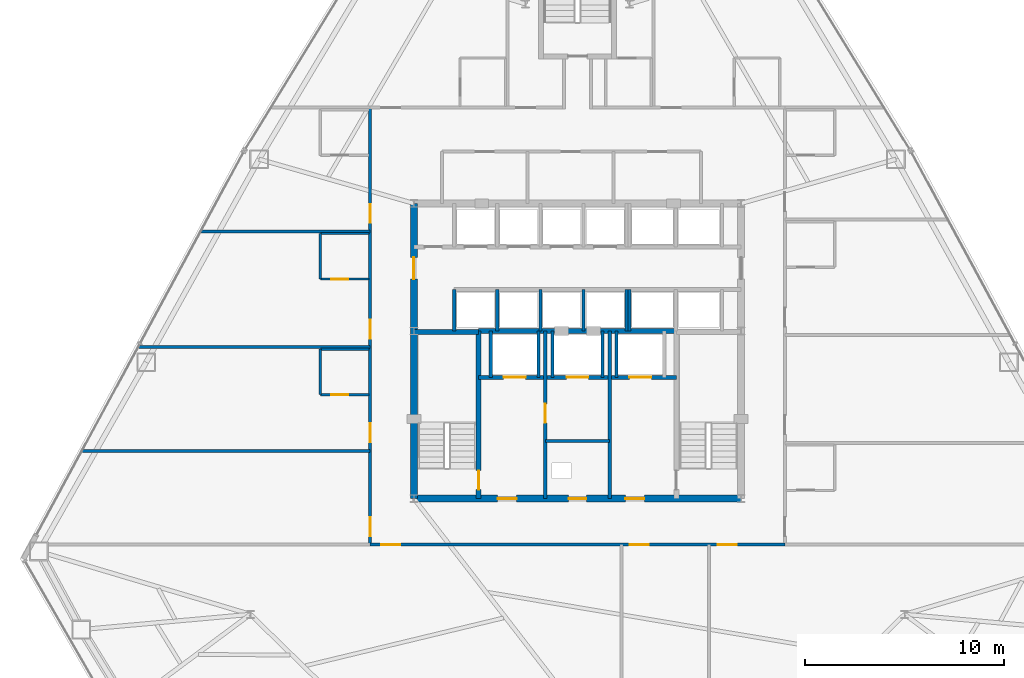
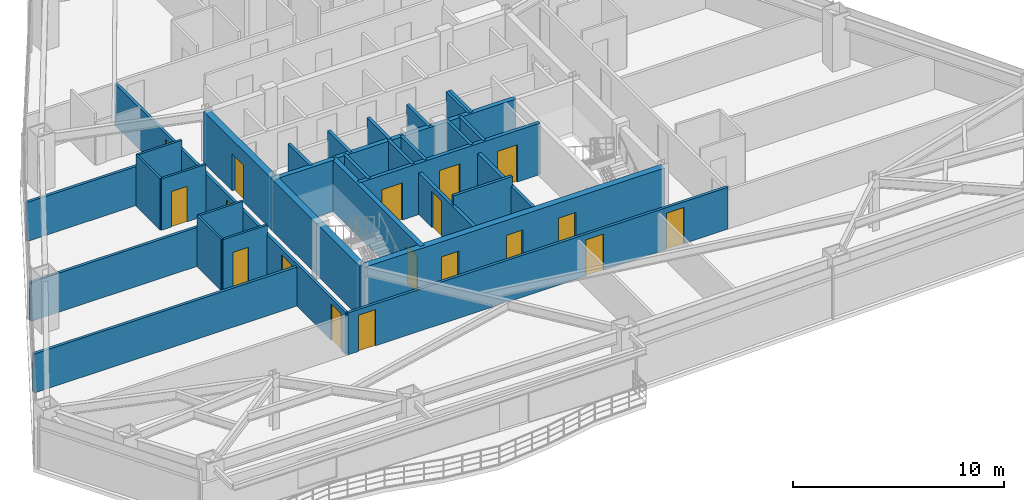
# One storey, part 9 of 13: 31 walls, 18 doors, 18 openings.
"""IFC4 building model written with IfcOpenShell, lengths in metres."""

from ifc_helpers import new_model, si_unit, direction, frame, frame_2d, origin, place, context, subcontext, project, spatial, rectangle, extrude, material, layer, layer_set, type_object, element, fill, save


model = new_model("IFC4")

# Units and contexts
model_context = context("Model", 3, precision=1e-05, world=origin(), true_north=direction((0.0, 1.0)))
body_context = subcontext(model_context, "Body", "Model", "MODEL_VIEW")
ifc_project = project(units=[si_unit("LENGTHUNIT", "METRE"), si_unit("AREAUNIT", "SQUARE_METRE"), si_unit("VOLUMEUNIT", "CUBIC_METRE"), si_unit("PLANEANGLEUNIT", "RADIAN"), si_unit("MASSUNIT", "GRAM", prefix="KILO")], contexts=[model_context])

# Site, building, storey
site_placement = place(None, origin())
site = spatial("IfcSite", under=ifc_project, at=site_placement, CompositionType="ELEMENT")
building_placement = place(site_placement, origin())
building = spatial("IfcBuilding", under=site, at=building_placement, Name="Varakhsha Concourse Tower", CompositionType="ELEMENT")
storey_placement = place(building_placement, frame((0.0, 0.0, 102.199951171875)))
storey = spatial("IfcBuildingStorey", under=building, at=storey_placement, Name="L29", CompositionType="ELEMENT", Elevation=102.199951171875)

# Wall, openings, doors
ifc_material_1 = material(Name="Concrete fc 65 MPa", Category="concrete")
ifc_layer_1 = layer(ifc_material_1, 0.35009765625, Name="WL-CORE-350")
ifc_layer_set_1 = layer_set([ifc_layer_1], Name="Concrete fc 65 MPa")
wall_type_1 = type_object("IfcWallType", Name="WL-CORE-350", PredefinedType="SHEAR", material=ifc_layer_set_1)
wall_1_placement = place(storey_placement, frame((31.800048828125, 16.39990234375, 0.0), z_axis=(0.0, 0.0, 1.0), x_axis=(1.0, 0.0, 0.0)))
wall_1 = element("IfcWall", 1, at=wall_1_placement, inside=storey, type_object=wall_type_1, Name="L29 Wall CWALL-S-L29", PredefinedType="SHEAR", context=body_context, shape_type="SweptSolid", body=[
    extrude(rectangle(XDim=16.39990234375, YDim=0.35009765625, at=frame_2d((8.199951171875, 0.0))), origin(), (0.0, 0.0, 1.0), 2.969970703125),
])
opening_1_placement = place(wall_1_placement, frame((7.75, 0.0, 0.0)))
opening_1 = element("IfcOpeningElement", 2, at=opening_1_placement, cuts=wall_1, Name="Opening DF-06", PredefinedType="OPENING", context=body_context, shape_type="SweptSolid", body=[
    extrude(rectangle(XDim=0.89990234375, YDim=2.10009765625, at=frame_2d((0.449951171875, 1.050048828125))), frame((0.0, 0.18505859375, 0.0), z_axis=(0.0, -1.0, 0.0), x_axis=(1.0, 0.0, 0.0)), (0.0, 0.0, 1.0), 0.3701171875),
])
opening_2_placement = place(wall_1_placement, frame((4.199951171875, 0.0, 0.0)))
opening_2 = element("IfcOpeningElement", 3, at=opening_2_placement, cuts=wall_1, Name="Opening DF-05", PredefinedType="OPENING", context=body_context, shape_type="SweptSolid", body=[
    extrude(rectangle(XDim=0.949951171875, YDim=2.10009765625, at=frame_2d((0.47509765625, 1.050048828125))), frame((0.0, 0.18505859375, 0.0), z_axis=(0.0, -1.0, 0.0), x_axis=(1.0, 0.0, 0.0)), (0.0, 0.0, 1.0), 0.3701171875),
])
opening_3_placement = place(wall_1_placement, frame((10.60009765625, 0.0, 0.0)))
opening_3 = element("IfcOpeningElement", 4, at=opening_3_placement, cuts=wall_1, Name="Opening DF-05", PredefinedType="OPENING", context=body_context, shape_type="SweptSolid", body=[
    extrude(rectangle(XDim=0.949951171875, YDim=2.10009765625, at=frame_2d((0.47509765625, 1.050048828125))), frame((0.0, 0.18505859375, 0.0), z_axis=(0.0, -1.0, 0.0), x_axis=(1.0, 0.0, 0.0)), (0.0, 0.0, 1.0), 0.3701171875),
])
ifc_material_2 = material(Name="Hollow Galvanised Steel Fire Door Assembly", Category="steel")
door_type_1 = type_object("IfcDoorType", Name="DR-FD60-900", OperationType="NOTDEFINED", PredefinedType="DOOR", material=ifc_material_2)
door_1_placement = place(opening_1_placement, origin())
door_1 = element("IfcDoor", 5, at=door_1_placement, inside=storey, type_object=door_type_1, Name="L29 Electrical Riser Access Door", OperationType="SINGLE_SWING_LEFT", OverallHeight=2.10009765625, OverallWidth=0.89990234375, PredefinedType="DOOR", context=body_context, shape_type="SweptSolid", body=[
    extrude(rectangle(XDim=0.89990234375, YDim=2.10009765625, at=frame_2d((0.449951171875, 1.050048828125))), frame((0.0, 0.02490234375, 0.0), z_axis=(0.0, -1.0, 0.0), x_axis=(1.0, 0.0, 0.0)), (0.0, 0.0, 1.0), 0.050048828125),
])
fill(opening_1, door_1)
door_type_2 = type_object("IfcDoorType", Name="DR-FD60-950", OperationType="NOTDEFINED", PredefinedType="DOOR", material=ifc_material_2)
door_2_placement = place(opening_2_placement, origin())
door_2 = element("IfcDoor", 6, at=door_2_placement, inside=storey, type_object=door_type_2, Name="L29 Firefighting Lobby West Door", OperationType="SINGLE_SWING_RIGHT", OverallHeight=2.10009765625, OverallWidth=0.949951171875, PredefinedType="DOOR", context=body_context, shape_type="SweptSolid", body=[
    extrude(rectangle(XDim=0.949951171875, YDim=2.10009765625, at=frame_2d((0.47509765625, 1.050048828125))), frame((0.0, 0.02490234375, 0.0), z_axis=(0.0, -1.0, 0.0), x_axis=(1.0, 0.0, 0.0)), (0.0, 0.0, 1.0), 0.050048828125),
])
fill(opening_2, door_2)
door_3_placement = place(opening_3_placement, origin())
door_3 = element("IfcDoor", 7, at=door_3_placement, inside=storey, type_object=door_type_2, Name="L29 Firefighting Lobby East Door", OperationType="SINGLE_SWING_LEFT", OverallHeight=2.10009765625, OverallWidth=0.949951171875, PredefinedType="DOOR", context=body_context, shape_type="SweptSolid", body=[
    extrude(rectangle(XDim=0.949951171875, YDim=2.10009765625, at=frame_2d((0.47509765625, 1.050048828125))), frame((0.0, 0.02490234375, 0.0), z_axis=(0.0, -1.0, 0.0), x_axis=(1.0, 0.0, 0.0)), (0.0, 0.0, 1.0), 0.050048828125),
])
fill(opening_3, door_3)

# Wall, opening, door
wall_2_placement = place(storey_placement, frame((31.800048828125, 16.39990234375, 0.0), z_axis=(0.0, 0.0, 1.0), x_axis=(0.0, 1.0, 0.0)))
wall_2 = element("IfcWall", 8, at=wall_2_placement, inside=storey, type_object=wall_type_1, Name="L29 Wall CWALL-W-L29", PredefinedType="SHEAR", context=body_context, shape_type="SweptSolid", body=[
    extrude(rectangle(XDim=14.800048828125, YDim=0.35009765625, at=frame_2d((7.39990234375, 0.0))), origin(), (0.0, 0.0, 1.0), 2.969970703125),
])
opening_4_placement = place(wall_2_placement, frame((11.0, 0.0, 0.0)))
opening_4 = element("IfcOpeningElement", 9, at=opening_4_placement, cuts=wall_2, Name="Opening DL-01", PredefinedType="OPENING", context=body_context, shape_type="SweptSolid", body=[
    extrude(rectangle(XDim=1.10009765625, YDim=2.14990234375, at=frame_2d((0.550048828125, 1.074951171875))), frame((0.0, 0.18505859375, 0.0), z_axis=(0.0, -1.0, 0.0), x_axis=(1.0, 0.0, 0.0)), (0.0, 0.0, 1.0), 0.3701171875),
])
ifc_material_3 = material(Name="Anodised Bronze Architectural Aluminium AA 6063-T6", Category="aluminium")
door_type_3 = type_object("IfcDoorType", Name="DR-LOB-1100", OperationType="NOTDEFINED", PredefinedType="DOOR", material=ifc_material_3)
door_4_placement = place(opening_4_placement, origin())
door_4 = element("IfcDoor", 10, at=door_4_placement, inside=storey, type_object=door_type_3, Name="L29 Lift Lobby West Concourse Door", OperationType="SINGLE_SWING_LEFT", OverallHeight=2.14990234375, OverallWidth=1.10009765625, PredefinedType="DOOR", context=body_context, shape_type="SweptSolid", body=[
    extrude(rectangle(XDim=1.10009765625, YDim=2.14990234375, at=frame_2d((0.550048828125, 1.074951171875))), frame((0.0, 0.02490234375, 0.0), z_axis=(0.0, -1.0, 0.0), x_axis=(1.0, 0.0, 0.0)), (0.0, 0.0, 1.0), 0.050048828125),
])
fill(opening_4, door_4)

ifc_material_4 = material(Name="Fire-Rated Type X Gypsum Partition Assembly", Category="gypsum")
ifc_layer_2 = layer(ifc_material_4, 0.179931640625, Name="WL-FFLOB-180")
ifc_layer_set_2 = layer_set([ifc_layer_2], Name="Fire-Rated Type X Gypsum Partition Assembly")
wall_type_2 = type_object("IfcWallType", Name="WL-FFLOB-180", PredefinedType="PARTITIONING", material=ifc_layer_set_2)
wall_3_placement = place(storey_placement, frame((38.389892578125, 16.39990234375, 0.0), z_axis=(0.0, 0.0, 1.0), x_axis=(0.0, 1.0, 0.0)))
wall_3 = element("IfcWall", 11, at=wall_3_placement, inside=storey, type_object=wall_type_2, Name="L29 Wall FFW-1E-L29", PredefinedType="PARTITIONING", context=body_context, shape_type="SweptSolid", body=[
    extrude(rectangle(XDim=8.400146484375, YDim=0.179931640625, at=frame_2d((4.2001953125, 0.0))), origin(), (0.0, 0.0, 1.0), 2.421142578125),
])
opening_5_placement = place(wall_3_placement, frame((3.800048828125, 0.0, 0.0)))
opening_5 = element("IfcOpeningElement", 12, at=opening_5_placement, cuts=wall_3, Name="Opening DF-05", PredefinedType="OPENING", context=body_context, shape_type="SweptSolid", body=[
    extrude(rectangle(XDim=0.949951171875, YDim=2.10009765625, at=frame_2d((0.47509765625, 1.050048828125))), frame((0.0, 0.099853515625, 0.0), z_axis=(0.0, -1.0, 0.0), x_axis=(1.0, 0.0, 0.0)), (0.0, 0.0, 1.0), 0.199951171875),
])
door_5_placement = place(opening_5_placement, origin())
door_5 = element("IfcDoor", 13, at=door_5_placement, inside=storey, type_object=door_type_2, Name="L29 Service Vestibule Door", OperationType="SINGLE_SWING_RIGHT", OverallHeight=2.10009765625, OverallWidth=0.949951171875, PredefinedType="DOOR", context=body_context, shape_type="SweptSolid", body=[
    extrude(rectangle(XDim=0.949951171875, YDim=2.10009765625, at=frame_2d((0.47509765625, 1.050048828125))), frame((0.0, 0.02490234375, 0.0), z_axis=(0.0, -1.0, 0.0), x_axis=(1.0, 0.0, 0.0)), (0.0, 0.0, 1.0), 0.050048828125),
])
fill(opening_5, door_5)

# Walls
wall_4_placement = place(storey_placement, frame((41.610107421875, 16.39990234375, 0.0), z_axis=(0.0, 0.0, 1.0), x_axis=(0.0, 1.0, 0.0)))
element("IfcWall", 14, at=wall_4_placement, inside=storey, type_object=wall_type_2, Name="L29 Wall FFW-2W-L29", PredefinedType="PARTITIONING", context=body_context, shape_type="SweptSolid", body=[
    extrude(rectangle(XDim=8.400146484375, YDim=0.179931640625, at=frame_2d((4.2001953125, 0.0))), origin(), (0.0, 0.0, 1.0), 2.421142578125),
])
ifc_material_5 = material(Name="Acoustic Gypsum Board Partition Assembly", Category="gypsum")
ifc_layer_3 = layer(ifc_material_5, 0.1201171875, Name="WL-PART-120")
ifc_layer_set_3 = layer_set([ifc_layer_3], Name="Acoustic Gypsum Board Partition Assembly")
wall_type_3 = type_object("IfcWallType", Name="WL-PART-120", PredefinedType="PARTITIONING", material=ifc_layer_set_3)
wall_5_placement = place(storey_placement, frame((27.110107421875, 21.610107421875, 0.0), z_axis=(0.0, 0.0, 1.0), x_axis=(0.0, 1.0, 0.0)))
element("IfcWall", 15, at=wall_5_placement, inside=storey, type_object=wall_type_3, Name="L29 Wall ENSW-W-L29-H05", PredefinedType="PARTITIONING", context=body_context, shape_type="SweptSolid", body=[
    extrude(rectangle(XDim=2.27978515625, YDim=0.1201171875, at=frame_2d((1.139892578125, 0.0))), origin(), (0.0, 0.0, 1.0), 2.969970703125),
])

# Wall, opening, door
wall_6_placement = place(storey_placement, frame((27.110107421875, 21.610107421875, 0.0), z_axis=(0.0, 0.0, 1.0), x_axis=(1.0, 0.0, 0.0)))
wall_6 = element("IfcWall", 16, at=wall_6_placement, inside=storey, type_object=wall_type_3, Name="L29 Wall ENSW-S-L29-H05", PredefinedType="PARTITIONING", context=body_context, shape_type="SweptSolid", body=[
    extrude(rectangle(XDim=2.429931640625, YDim=0.1201171875, at=frame_2d((1.21484375, 0.0))), origin(), (0.0, 0.0, 1.0), 2.969970703125),
])
opening_6_placement = place(wall_6_placement, frame((0.550048828125, 0.0, 0.0)))
opening_6 = element("IfcOpeningElement", 17, at=opening_6_placement, cuts=wall_6, Name="Opening DI-01", PredefinedType="OPENING", context=body_context, shape_type="SweptSolid", body=[
    extrude(rectangle(XDim=0.85009765625, YDim=2.050048828125, at=frame_2d((0.425048828125, 1.02490234375))), frame((0.0, 0.070068359375, 0.0), z_axis=(0.0, -1.0, 0.0), x_axis=(1.0, 0.0, 0.0)), (0.0, 0.0, 1.0), 0.14013671875),
])
ifc_material_6 = material(Name="Architectural Walnut Acoustic Timber Door", Category="wood")
door_type_4 = type_object("IfcDoorType", Name="DR-INT-850", OperationType="NOTDEFINED", PredefinedType="DOOR", material=ifc_material_6)
door_6_placement = place(opening_6_placement, origin())
door_6 = element("IfcDoor", 18, at=door_6_placement, inside=storey, type_object=door_type_4, Name="L29 En-suite Bathroom Door L29-H05", OperationType="SINGLE_SWING_RIGHT", OverallHeight=2.050048828125, OverallWidth=0.85009765625, PredefinedType="DOOR", context=body_context, shape_type="SweptSolid", body=[
    extrude(rectangle(XDim=0.85009765625, YDim=2.050048828125, at=frame_2d((0.425048828125, 1.02490234375))), frame((0.0, 0.02490234375, 0.0), z_axis=(0.0, -1.0, 0.0), x_axis=(1.0, 0.0, 0.0)), (0.0, 0.0, 1.0), 0.050048828125),
])
fill(opening_6, door_6)

# Walls
wall_7_placement = place(storey_placement, frame((27.110107421875, 23.889892578125, 0.0), z_axis=(0.0, 0.0, 1.0), x_axis=(1.0, 0.0, 0.0)))
element("IfcWall", 19, at=wall_7_placement, inside=storey, type_object=wall_type_3, Name="L29 Wall ENSW-N-L29-H05", PredefinedType="PARTITIONING", context=body_context, shape_type="SweptSolid", body=[
    extrude(rectangle(XDim=2.429931640625, YDim=0.1201171875, at=frame_2d((1.21484375, 0.0))), origin(), (0.0, 0.0, 1.0), 2.969970703125),
])
wall_8_placement = place(storey_placement, frame((27.110107421875, 27.409912109375, 0.0), z_axis=(0.0, 0.0, 1.0), x_axis=(0.0, 1.0, 0.0)))
element("IfcWall", 20, at=wall_8_placement, inside=storey, type_object=wall_type_3, Name="L29 Wall ENSW-W-L29-H06", PredefinedType="PARTITIONING", context=body_context, shape_type="SweptSolid", body=[
    extrude(rectangle(XDim=2.280029296875, YDim=0.1201171875, at=frame_2d((1.14013671875, 0.0))), origin(), (0.0, 0.0, 1.0), 2.969970703125),
])

# Wall, opening, door
wall_9_placement = place(storey_placement, frame((27.110107421875, 27.409912109375, 0.0), z_axis=(0.0, 0.0, 1.0), x_axis=(1.0, 0.0, 0.0)))
wall_9 = element("IfcWall", 21, at=wall_9_placement, inside=storey, type_object=wall_type_3, Name="L29 Wall ENSW-S-L29-H06", PredefinedType="PARTITIONING", context=body_context, shape_type="SweptSolid", body=[
    extrude(rectangle(XDim=2.429931640625, YDim=0.1201171875, at=frame_2d((1.21484375, 0.0))), origin(), (0.0, 0.0, 1.0), 2.969970703125),
])
opening_7_placement = place(wall_9_placement, frame((0.550048828125, 0.0, 0.0)))
opening_7 = element("IfcOpeningElement", 22, at=opening_7_placement, cuts=wall_9, Name="Opening DI-01", PredefinedType="OPENING", context=body_context, shape_type="SweptSolid", body=[
    extrude(rectangle(XDim=0.85009765625, YDim=2.050048828125, at=frame_2d((0.425048828125, 1.02490234375))), frame((0.0, 0.070068359375, 0.0), z_axis=(0.0, -1.0, 0.0), x_axis=(1.0, 0.0, 0.0)), (0.0, 0.0, 1.0), 0.14013671875),
])
door_7_placement = place(opening_7_placement, origin())
door_7 = element("IfcDoor", 23, at=door_7_placement, inside=storey, type_object=door_type_4, Name="L29 En-suite Bathroom Door L29-H06", OperationType="SINGLE_SWING_RIGHT", OverallHeight=2.050048828125, OverallWidth=0.85009765625, PredefinedType="DOOR", context=body_context, shape_type="SweptSolid", body=[
    extrude(rectangle(XDim=0.85009765625, YDim=2.050048828125, at=frame_2d((0.425048828125, 1.02490234375))), frame((0.0, 0.02490234375, 0.0), z_axis=(0.0, -1.0, 0.0), x_axis=(1.0, 0.0, 0.0)), (0.0, 0.0, 1.0), 0.050048828125),
])
fill(opening_7, door_7)

# Walls
wall_10_placement = place(storey_placement, frame((27.110107421875, 29.68994140625, 0.0), z_axis=(0.0, 0.0, 1.0), x_axis=(1.0, 0.0, 0.0)))
element("IfcWall", 24, at=wall_10_placement, inside=storey, type_object=wall_type_3, Name="L29 Wall ENSW-N-L29-H06", PredefinedType="PARTITIONING", context=body_context, shape_type="SweptSolid", body=[
    extrude(rectangle(XDim=2.429931640625, YDim=0.1201171875, at=frame_2d((1.21484375, 0.0))), origin(), (0.0, 0.0, 1.0), 2.969970703125),
])
ifc_layer_4 = layer(ifc_material_4, 0.14990234375, Name="WL-PART-150")
ifc_layer_set_4 = layer_set([ifc_layer_4], Name="Fire-Rated Type X Gypsum Partition Assembly")
wall_type_4 = type_object("IfcWallType", Name="WL-PART-150", PredefinedType="PARTITIONING", material=ifc_layer_set_4)
wall_11_placement = place(storey_placement, frame((38.389892578125, 19.300048828125, 0.0), z_axis=(0.0, 0.0, 1.0), x_axis=(1.0, 0.0, 0.0)))
element("IfcWall", 25, at=wall_11_placement, inside=storey, type_object=wall_type_4, Name="L29 Wall RSW-H-L29", PredefinedType="PARTITIONING", context=body_context, shape_type="SweptSolid", body=[
    extrude(rectangle(XDim=3.22021484375, YDim=0.14990234375, at=frame_2d((1.610107421875, 0.0))), origin(), (0.0, 0.0, 1.0), 2.969970703125),
])

# Wall, openings, doors
wall_12_placement = place(storey_placement, frame((29.60009765625, 14.10009765625, 0.0), z_axis=(0.0, 0.0, 1.0), x_axis=(1.0, 0.0, 0.0)))
wall_12 = element("IfcWall", 26, at=wall_12_placement, inside=storey, type_object=wall_type_4, Name="L29 Wall CRW-S-L29", PredefinedType="PARTITIONING", context=body_context, shape_type="SweptSolid", body=[
    extrude(rectangle(XDim=20.7998046875, YDim=0.14990234375, at=frame_2d((10.39990234375, 0.0))), origin(), (0.0, 0.0, 1.0), 2.421142578125),
])
opening_8_placement = place(wall_12_placement, frame((0.570068359375, 0.0, 0.0)))
opening_8 = element("IfcOpeningElement", 27, at=opening_8_placement, cuts=wall_12, Name="Opening DF-05", PredefinedType="OPENING", context=body_context, shape_type="SweptSolid", body=[
    extrude(rectangle(XDim=0.949951171875, YDim=2.10009765625, at=frame_2d((0.47509765625, 1.050048828125))), frame((0.0, 0.0849609375, 0.0), z_axis=(0.0, -1.0, 0.0), x_axis=(1.0, 0.0, 0.0)), (0.0, 0.0, 1.0), 0.169921875),
])
opening_9_placement = place(wall_12_placement, frame((13.02001953125, 0.0, 0.0)))
opening_9 = element("IfcOpeningElement", 28, at=opening_9_placement, cuts=wall_12, Name="Opening DF-05", PredefinedType="OPENING", context=body_context, shape_type="SweptSolid", body=[
    extrude(rectangle(XDim=0.949951171875, YDim=2.10009765625, at=frame_2d((0.47509765625, 1.050048828125))), frame((0.0, 0.0849609375, 0.0), z_axis=(0.0, -1.0, 0.0), x_axis=(1.0, 0.0, 0.0)), (0.0, 0.0, 1.0), 0.169921875),
])
opening_10_placement = place(wall_12_placement, frame((17.419921875, 0.0, 0.0)))
opening_10 = element("IfcOpeningElement", 29, at=opening_10_placement, cuts=wall_12, Name="Opening DF-05", PredefinedType="OPENING", context=body_context, shape_type="SweptSolid", body=[
    extrude(rectangle(XDim=0.949951171875, YDim=2.10009765625, at=frame_2d((0.47509765625, 1.050048828125))), frame((0.0, 0.0849609375, 0.0), z_axis=(0.0, -1.0, 0.0), x_axis=(1.0, 0.0, 0.0)), (0.0, 0.0, 1.0), 0.169921875),
])
door_8_placement = place(opening_8_placement, origin())
door_8 = element("IfcDoor", 30, at=door_8_placement, inside=storey, type_object=door_type_2, Name="L29 Hotel Executive Salon L29-H01 Door", OperationType="SINGLE_SWING_LEFT", OverallHeight=2.10009765625, OverallWidth=0.949951171875, PredefinedType="DOOR", context=body_context, shape_type="SweptSolid", body=[
    extrude(rectangle(XDim=0.949951171875, YDim=2.10009765625, at=frame_2d((0.47509765625, 1.050048828125))), frame((0.0, 0.02490234375, 0.0), z_axis=(0.0, -1.0, 0.0), x_axis=(1.0, 0.0, 0.0)), (0.0, 0.0, 1.0), 0.050048828125),
])
fill(opening_8, door_8)
door_9_placement = place(opening_9_placement, origin())
door_9 = element("IfcDoor", 31, at=door_9_placement, inside=storey, type_object=door_type_2, Name="L29 Sky-Loggia Reading Lounge L29-H02 Door", OperationType="SINGLE_SWING_RIGHT", OverallHeight=2.10009765625, OverallWidth=0.949951171875, PredefinedType="DOOR", context=body_context, shape_type="SweptSolid", body=[
    extrude(rectangle(XDim=0.949951171875, YDim=2.10009765625, at=frame_2d((0.47509765625, 1.050048828125))), frame((0.0, 0.02490234375, 0.0), z_axis=(0.0, -1.0, 0.0), x_axis=(1.0, 0.0, 0.0)), (0.0, 0.0, 1.0), 0.050048828125),
])
fill(opening_9, door_9)
door_10_placement = place(opening_10_placement, origin())
door_10 = element("IfcDoor", 32, at=door_10_placement, inside=storey, type_object=door_type_2, Name="L29 Hotel Executive Salon L29-H03 Door", OperationType="SINGLE_SWING_LEFT", OverallHeight=2.10009765625, OverallWidth=0.949951171875, PredefinedType="DOOR", context=body_context, shape_type="SweptSolid", body=[
    extrude(rectangle(XDim=0.949951171875, YDim=2.10009765625, at=frame_2d((0.47509765625, 1.050048828125))), frame((0.0, 0.02490234375, 0.0), z_axis=(0.0, -1.0, 0.0), x_axis=(1.0, 0.0, 0.0)), (0.0, 0.0, 1.0), 0.050048828125),
])
fill(opening_10, door_10)

wall_13_placement = place(storey_placement, frame((29.60009765625, 14.10009765625, 0.0), z_axis=(0.0, 0.0, 1.0), x_axis=(0.0, 1.0, 0.0)))
wall_13 = element("IfcWall", 33, at=wall_13_placement, inside=storey, type_object=wall_type_4, Name="L29 Wall CRW-W-L29", PredefinedType="PARTITIONING", context=body_context, shape_type="SweptSolid", body=[
    extrude(rectangle(XDim=21.89990234375, YDim=0.14990234375, at=frame_2d((10.949951171875, 0.0))), origin(), (0.0, 0.0, 1.0), 2.421142578125),
])
opening_11_placement = place(wall_13_placement, frame((0.419921875, 0.0, 0.0)))
opening_11 = element("IfcOpeningElement", 34, at=opening_11_placement, cuts=wall_13, Name="Opening DF-05", PredefinedType="OPENING", context=body_context, shape_type="SweptSolid", body=[
    extrude(rectangle(XDim=0.949951171875, YDim=2.10009765625, at=frame_2d((0.47509765625, 1.050048828125))), frame((0.0, 0.0849609375, 0.0), z_axis=(0.0, -1.0, 0.0), x_axis=(1.0, 0.0, 0.0)), (0.0, 0.0, 1.0), 0.169921875),
])
opening_12_placement = place(wall_13_placement, frame((5.1201171875, 0.0, 0.0)))
opening_12 = element("IfcOpeningElement", 35, at=opening_12_placement, cuts=wall_13, Name="Opening DF-05", PredefinedType="OPENING", context=body_context, shape_type="SweptSolid", body=[
    extrude(rectangle(XDim=0.949951171875, YDim=2.10009765625, at=frame_2d((0.47509765625, 1.050048828125))), frame((0.0, 0.0849609375, 0.0), z_axis=(0.0, -1.0, 0.0), x_axis=(1.0, 0.0, 0.0)), (0.0, 0.0, 1.0), 0.169921875),
])
opening_13_placement = place(wall_13_placement, frame((10.320068359375, 0.0, 0.0)))
opening_13 = element("IfcOpeningElement", 36, at=opening_13_placement, cuts=wall_13, Name="Opening DF-05", PredefinedType="OPENING", context=body_context, shape_type="SweptSolid", body=[
    extrude(rectangle(XDim=0.949951171875, YDim=2.10009765625, at=frame_2d((0.47509765625, 1.050048828125))), frame((0.0, 0.0849609375, 0.0), z_axis=(0.0, -1.0, 0.0), x_axis=(1.0, 0.0, 0.0)), (0.0, 0.0, 1.0), 0.169921875),
])
opening_14_placement = place(wall_13_placement, frame((16.1201171875, 0.0, 0.0)))
opening_14 = element("IfcOpeningElement", 37, at=opening_14_placement, cuts=wall_13, Name="Opening DF-05", PredefinedType="OPENING", context=body_context, shape_type="SweptSolid", body=[
    extrude(rectangle(XDim=0.949951171875, YDim=2.10009765625, at=frame_2d((0.47509765625, 1.050048828125))), frame((0.0, 0.0849609375, 0.0), z_axis=(0.0, -1.0, 0.0), x_axis=(1.0, 0.0, 0.0)), (0.0, 0.0, 1.0), 0.169921875),
])
door_11_placement = place(opening_11_placement, origin())
door_11 = element("IfcDoor", 38, at=door_11_placement, inside=storey, type_object=door_type_2, Name="L29 Sky-Loggia Reading Lounge L29-H04 Door", OperationType="SINGLE_SWING_RIGHT", OverallHeight=2.10009765625, OverallWidth=0.949951171875, PredefinedType="DOOR", context=body_context, shape_type="SweptSolid", body=[
    extrude(rectangle(XDim=0.949951171875, YDim=2.10009765625, at=frame_2d((0.47509765625, 1.050048828125))), frame((0.0, 0.02490234375, 0.0), z_axis=(0.0, -1.0, 0.0), x_axis=(1.0, 0.0, 0.0)), (0.0, 0.0, 1.0), 0.050048828125),
])
fill(opening_11, door_11)
door_12_placement = place(opening_12_placement, origin())
door_12 = element("IfcDoor", 39, at=door_12_placement, inside=storey, type_object=door_type_2, Name="L29 Hotel Corner Suite L29-H05 Entry Door", OperationType="SINGLE_SWING_LEFT", OverallHeight=2.10009765625, OverallWidth=0.949951171875, PredefinedType="DOOR", context=body_context, shape_type="SweptSolid", body=[
    extrude(rectangle(XDim=0.949951171875, YDim=2.10009765625, at=frame_2d((0.47509765625, 1.050048828125))), frame((0.0, 0.02490234375, 0.0), z_axis=(0.0, -1.0, 0.0), x_axis=(1.0, 0.0, 0.0)), (0.0, 0.0, 1.0), 0.050048828125),
])
fill(opening_12, door_12)
door_13_placement = place(opening_13_placement, origin())
door_13 = element("IfcDoor", 40, at=door_13_placement, inside=storey, type_object=door_type_2, Name="L29 Hotel Corner Suite L29-H06 Entry Door", OperationType="SINGLE_SWING_RIGHT", OverallHeight=2.10009765625, OverallWidth=0.949951171875, PredefinedType="DOOR", context=body_context, shape_type="SweptSolid", body=[
    extrude(rectangle(XDim=0.949951171875, YDim=2.10009765625, at=frame_2d((0.47509765625, 1.050048828125))), frame((0.0, 0.02490234375, 0.0), z_axis=(0.0, -1.0, 0.0), x_axis=(1.0, 0.0, 0.0)), (0.0, 0.0, 1.0), 0.050048828125),
])
fill(opening_13, door_13)
door_14_placement = place(opening_14_placement, origin())
door_14 = element("IfcDoor", 41, at=door_14_placement, inside=storey, type_object=door_type_2, Name="L29 Hotel Guest Room L29-H07 Entry Door", OperationType="SINGLE_SWING_LEFT", OverallHeight=2.10009765625, OverallWidth=0.949951171875, PredefinedType="DOOR", context=body_context, shape_type="SweptSolid", body=[
    extrude(rectangle(XDim=0.949951171875, YDim=2.10009765625, at=frame_2d((0.47509765625, 1.050048828125))), frame((0.0, 0.02490234375, 0.0), z_axis=(0.0, -1.0, 0.0), x_axis=(1.0, 0.0, 0.0)), (0.0, 0.0, 1.0), 0.050048828125),
])
fill(opening_14, door_14)

# Walls
wall_14_placement = place(storey_placement, frame((15.166015625, 18.800048828125, 0.0), z_axis=(0.0, 0.0, 1.0), x_axis=(1.0, 0.0, 0.0)))
element("IfcWall", 42, at=wall_14_placement, inside=storey, type_object=wall_type_4, Name="L29 Wall HDIV-W1-L29", PredefinedType="PARTITIONING", context=body_context, shape_type="SweptSolid", body=[
    extrude(rectangle(XDim=14.43408203125, YDim=0.14990234375, at=frame_2d((7.217041015625, 0.0))), origin(), (0.0, 0.0, 1.0), 2.258056640625),
])
wall_15_placement = place(storey_placement, frame((17.97998046875, 24.0, 0.0), z_axis=(0.0, 0.0, 1.0), x_axis=(1.0, 0.0, 0.0)))
element("IfcWall", 43, at=wall_15_placement, inside=storey, type_object=wall_type_4, Name="L29 Wall HDIV-W2-L29", PredefinedType="PARTITIONING", context=body_context, shape_type="SweptSolid", body=[
    extrude(rectangle(XDim=11.6201171875, YDim=0.14990234375, at=frame_2d((5.81005859375, 0.0))), origin(), (0.0, 0.0, 1.0), 2.258056640625),
])
wall_16_placement = place(storey_placement, frame((21.118896484375, 29.800048828125, 0.0), z_axis=(0.0, 0.0, 1.0), x_axis=(1.0, 0.0, 0.0)))
element("IfcWall", 44, at=wall_16_placement, inside=storey, type_object=wall_type_4, Name="L29 Wall HDIV-W3-L29", PredefinedType="PARTITIONING", context=body_context, shape_type="SweptSolid", body=[
    extrude(rectangle(XDim=8.481201171875, YDim=0.14990234375, at=frame_2d((4.24072265625, 0.0))), origin(), (0.0, 0.0, 1.0), 2.258056640625),
])

# Wall, openings, doors
ifc_layer_5 = layer(ifc_material_4, 0.199951171875, Name="WL-SHAFT-220")
ifc_layer_set_5 = layer_set([ifc_layer_5], Name="Fire-Rated Type X Gypsum Partition Assembly")
wall_type_5 = type_object("IfcWallType", Name="WL-SHAFT-220", PredefinedType="SOLIDWALL", material=ifc_layer_set_5)
wall_17_placement = place(storey_placement, frame((35.044921875, 22.47998046875, 0.0), z_axis=(0.0, 0.0, 1.0), x_axis=(1.0, 0.0, 0.0)))
wall_17 = element("IfcWall", 45, at=wall_17_placement, inside=storey, type_object=wall_type_5, Name="L29 Wall FFW-NH-L29", PredefinedType="SOLIDWALL", context=body_context, shape_type="SweptSolid", body=[
    extrude(rectangle(XDim=9.91015625, YDim=0.199951171875, at=frame_2d((4.955078125, 0.0))), origin(), (0.0, 0.0, 1.0), 2.969970703125),
])
opening_15_placement = place(wall_17_placement, frame((1.2548828125, 0.0, 0.0)))
opening_15 = element("IfcOpeningElement", 46, at=opening_15_placement, cuts=wall_17, Name="Opening LD-FFL-1", PredefinedType="OPENING", context=body_context, shape_type="SweptSolid", body=[
    extrude(rectangle(XDim=1.10009765625, YDim=2.14990234375, at=frame_2d((0.550048828125, 1.074951171875))), frame((0.0, 0.10986328125, 0.0), z_axis=(0.0, -1.0, 0.0), x_axis=(1.0, 0.0, 0.0)), (0.0, 0.0, 1.0), 0.219970703125),
])
opening_16_placement = place(wall_17_placement, frame((7.554931640625, 0.0, 0.0)))
opening_16 = element("IfcOpeningElement", 47, at=opening_16_placement, cuts=wall_17, Name="Opening LD-FFL-2", PredefinedType="OPENING", context=body_context, shape_type="SweptSolid", body=[
    extrude(rectangle(XDim=1.10009765625, YDim=2.14990234375, at=frame_2d((0.550048828125, 1.074951171875))), frame((0.0, 0.10986328125, 0.0), z_axis=(0.0, -1.0, 0.0), x_axis=(1.0, 0.0, 0.0)), (0.0, 0.0, 1.0), 0.219970703125),
])
opening_17_placement = place(wall_17_placement, frame((4.405029296875, 0.0, 0.0)))
opening_17 = element("IfcOpeningElement", 48, at=opening_17_placement, cuts=wall_17, Name="Opening LD-SVL-1", PredefinedType="OPENING", context=body_context, shape_type="SweptSolid", body=[
    extrude(rectangle(XDim=1.10009765625, YDim=2.14990234375, at=frame_2d((0.550048828125, 1.074951171875))), frame((0.0, 0.10986328125, 0.0), z_axis=(0.0, -1.0, 0.0), x_axis=(1.0, 0.0, 0.0)), (0.0, 0.0, 1.0), 0.219970703125),
])
ifc_material_7 = material(Name="Brushed Austenitic Stainless Steel AISI 316", Category="steel")
door_type_5 = type_object("IfcDoorType", Name="DR-LD-1100", OperationType="DOUBLE_DOOR_SLIDING", PredefinedType="DOOR", material=ifc_material_7)
door_15_placement = place(opening_15_placement, origin())
door_15 = element("IfcDoor", 49, at=door_15_placement, inside=storey, type_object=door_type_5, Name="Lift Landing Door FFL-1 L29", OperationType="DOUBLE_DOOR_SLIDING", OverallHeight=2.14990234375, OverallWidth=1.10009765625, PredefinedType="DOOR", context=body_context, shape_type="SweptSolid", body=[
    extrude(rectangle(XDim=1.10009765625, YDim=2.14990234375, at=frame_2d((0.550048828125, 1.074951171875))), frame((0.0, 0.02490234375, 0.0), z_axis=(0.0, -1.0, 0.0), x_axis=(1.0, 0.0, 0.0)), (0.0, 0.0, 1.0), 0.050048828125),
])
fill(opening_15, door_15)
door_16_placement = place(opening_16_placement, origin())
door_16 = element("IfcDoor", 50, at=door_16_placement, inside=storey, type_object=door_type_5, Name="Lift Landing Door FFL-2 L29", OperationType="DOUBLE_DOOR_SLIDING", OverallHeight=2.14990234375, OverallWidth=1.10009765625, PredefinedType="DOOR", context=body_context, shape_type="SweptSolid", body=[
    extrude(rectangle(XDim=1.10009765625, YDim=2.14990234375, at=frame_2d((0.550048828125, 1.074951171875))), frame((0.0, 0.02490234375, 0.0), z_axis=(0.0, -1.0, 0.0), x_axis=(1.0, 0.0, 0.0)), (0.0, 0.0, 1.0), 0.050048828125),
])
fill(opening_16, door_16)
door_17_placement = place(opening_17_placement, origin())
door_17 = element("IfcDoor", 51, at=door_17_placement, inside=storey, type_object=door_type_5, Name="Lift Landing Door SVL-1 L29", OperationType="DOUBLE_DOOR_SLIDING", OverallHeight=2.14990234375, OverallWidth=1.10009765625, PredefinedType="DOOR", context=body_context, shape_type="SweptSolid", body=[
    extrude(rectangle(XDim=1.10009765625, YDim=2.14990234375, at=frame_2d((0.550048828125, 1.074951171875))), frame((0.0, 0.02490234375, 0.0), z_axis=(0.0, -1.0, 0.0), x_axis=(1.0, 0.0, 0.0)), (0.0, 0.0, 1.0), 0.050048828125),
])
fill(opening_17, door_17)

# Walls
for number, where, z_axis, x_axis, name in (
    (52, (35.64990234375, 22.47998046875, 0.0), (0.0, 0.0, 1.0), (0.0, 1.0, 0.0), "L29 Wall SHW-FFL-1-W-L29"),
    (53, (38.050048828125, 22.47998046875, 0.0), (0.0, 0.0, 1.0), (0.0, 1.0, 0.0), "L29 Wall SHW-FFL-1-E-L29"),
    (54, (41.949951171875, 22.47998046875, 0.0), (0.0, 0.0, 1.0), (0.0, 1.0, 0.0), "L29 Wall SHW-FFL-2-W-L29"),
    (55, (38.75, 22.47998046875, 0.0), (0.0, 0.0, 1.0), (0.0, 1.0, 0.0), "L29 Wall SHW-SVL-1-W-L29"),
    (56, (41.25, 22.47998046875, 0.0), (0.0, 0.0, 1.0), (0.0, 1.0, 0.0), "L29 Wall SHW-SVL-1-E-L29"),
):
    element("IfcWall", number, at=place(storey_placement, frame(where, z_axis=z_axis, x_axis=x_axis)), inside=storey, type_object=wall_type_5, Name=name, PredefinedType="SOLIDWALL", context=body_context, shape_type="SweptSolid", body=[
        extrude(rectangle(XDim=2.320068359375, YDim=0.159912109375, at=frame_2d((1.16015625, 0.0))), origin(), (0.0, 0.0, 1.0), 2.969970703125),
    ])
for number, where, z_axis, x_axis, name in (
    (57, (33.820068359375, 24.800048828125, 0.0), (0.0, 0.0, 1.0), (0.0, 1.0, 0.0), "L29 Wall WBOH-E2-L29"),
    (58, (35.97998046875, 24.800048828125, 0.0), (0.0, 0.0, 1.0), (0.0, 1.0, 0.0), "L29 Wall SHW-LF-P05-E-L29"),
    (59, (38.139892578125, 24.800048828125, 0.0), (0.0, 0.0, 1.0), (0.0, 1.0, 0.0), "L29 Wall SHW-LF-P06-E-L29"),
    (60, (40.300048828125, 24.800048828125, 0.0), (0.0, 0.0, 1.0), (0.0, 1.0, 0.0), "L29 Wall SHW-LF-P07-E-L29"),
    (61, (42.4599609375, 24.800048828125, 0.0), (0.0, 0.0, 1.0), (0.0, 1.0, 0.0), "L29 Wall SHW-LF-P08-E-L29"),
    (62, (42.60009765625, 24.800048828125, 0.0), (0.0, 0.0, 1.0), (0.0, 1.0, 0.0), "L29 Wall SHW-LF-P11-W-L29"),
):
    element("IfcWall", number, at=place(storey_placement, frame(where, z_axis=z_axis, x_axis=x_axis)), inside=storey, type_object=wall_type_5, Name=name, PredefinedType="SOLIDWALL", context=body_context, shape_type="SweptSolid", body=[
        extrude(rectangle(XDim=2.079833984375, YDim=0.159912109375, at=frame_2d((1.0400390625, 0.0))), origin(), (0.0, 0.0, 1.0), 2.969970703125),
    ])

# Wall, opening, door
ifc_material_8 = material(Name="Concrete fc 45 MPa", Category="concrete")
ifc_layer_6 = layer(ifc_material_8, 0.25, Name="WL-STAIR-250")
ifc_layer_set_6 = layer_set([ifc_layer_6], Name="Concrete fc 45 MPa")
wall_type_6 = type_object("IfcWallType", Name="WL-STAIR-250", PredefinedType="SHEAR", material=ifc_layer_set_6)
wall_18_placement = place(storey_placement, frame((35.044921875, 16.39990234375, 0.0), z_axis=(0.0, 0.0, 1.0), x_axis=(0.0, 1.0, 0.0)))
wall_18 = element("IfcWall", 63, at=wall_18_placement, inside=storey, type_object=wall_type_6, Name="L29 Wall SWALL-ST1-E-L29", PredefinedType="SHEAR", context=body_context, shape_type="SweptSolid", body=[
    extrude(rectangle(XDim=8.400146484375, YDim=0.25, at=frame_2d((4.2001953125, 0.0))), origin(), (0.0, 0.0, 1.0), 2.969970703125),
])
opening_18_placement = place(wall_18_placement, frame((0.449951171875, 0.0, 0.0)))
opening_18 = element("IfcOpeningElement", 64, at=opening_18_placement, cuts=wall_18, Name="Opening DF-03", PredefinedType="OPENING", context=body_context, shape_type="SweptSolid", body=[
    extrude(rectangle(XDim=0.949951171875, YDim=2.10009765625, at=frame_2d((0.47509765625, 1.050048828125))), frame((0.0, 0.135009765625, 0.0), z_axis=(0.0, -1.0, 0.0), x_axis=(1.0, 0.0, 0.0)), (0.0, 0.0, 1.0), 0.27001953125),
])
door_type_6 = type_object("IfcDoorType", Name="DR-FD90-950", OperationType="NOTDEFINED", PredefinedType="DOOR", material=ifc_material_2)
door_18_placement = place(opening_18_placement, origin())
door_18 = element("IfcDoor", 65, at=door_18_placement, inside=storey, type_object=door_type_6, Name="L29 Stair ST1 Fire Door", OperationType="SINGLE_SWING_LEFT", OverallHeight=2.10009765625, OverallWidth=0.949951171875, PredefinedType="DOOR", context=body_context, shape_type="SweptSolid", body=[
    extrude(rectangle(XDim=0.949951171875, YDim=2.10009765625, at=frame_2d((0.47509765625, 1.050048828125))), frame((0.0, 0.02490234375, 0.0), z_axis=(0.0, -1.0, 0.0), x_axis=(1.0, 0.0, 0.0)), (0.0, 0.0, 1.0), 0.050048828125),
])
fill(opening_18, door_18)

# Walls
wall_19_placement = place(storey_placement, frame((31.800048828125, 24.7548828125, 0.0), z_axis=(0.0, 0.0, 1.0), x_axis=(1.0, 0.0, 0.0)))
element("IfcWall", 66, at=wall_19_placement, inside=storey, type_object=wall_type_6, Name="L29 Wall SWALL-ST1-N-L29", PredefinedType="SHEAR", context=body_context, shape_type="SweptSolid", body=[
    extrude(rectangle(XDim=3.244873046875, YDim=0.25, at=frame_2d((1.62255859375, 0.0))), origin(), (0.0, 0.0, 1.0), 2.969970703125),
])
wall_20_placement = place(storey_placement, frame((35.044921875, 24.800048828125, 0.0), z_axis=(0.0, 0.0, 1.0), x_axis=(1.0, 0.0, 0.0)))
element("IfcWall", 67, at=wall_20_placement, inside=storey, type_object=wall_type_6, Name="L29 Wall SWALL-MID-H-L29", PredefinedType="SHEAR", context=body_context, shape_type="SweptSolid", body=[
    extrude(rectangle(XDim=9.91015625, YDim=0.25, at=frame_2d((4.955078125, 0.0))), origin(), (0.0, 0.0, 1.0), 2.969970703125),
])

save(model, "model.ifc")
